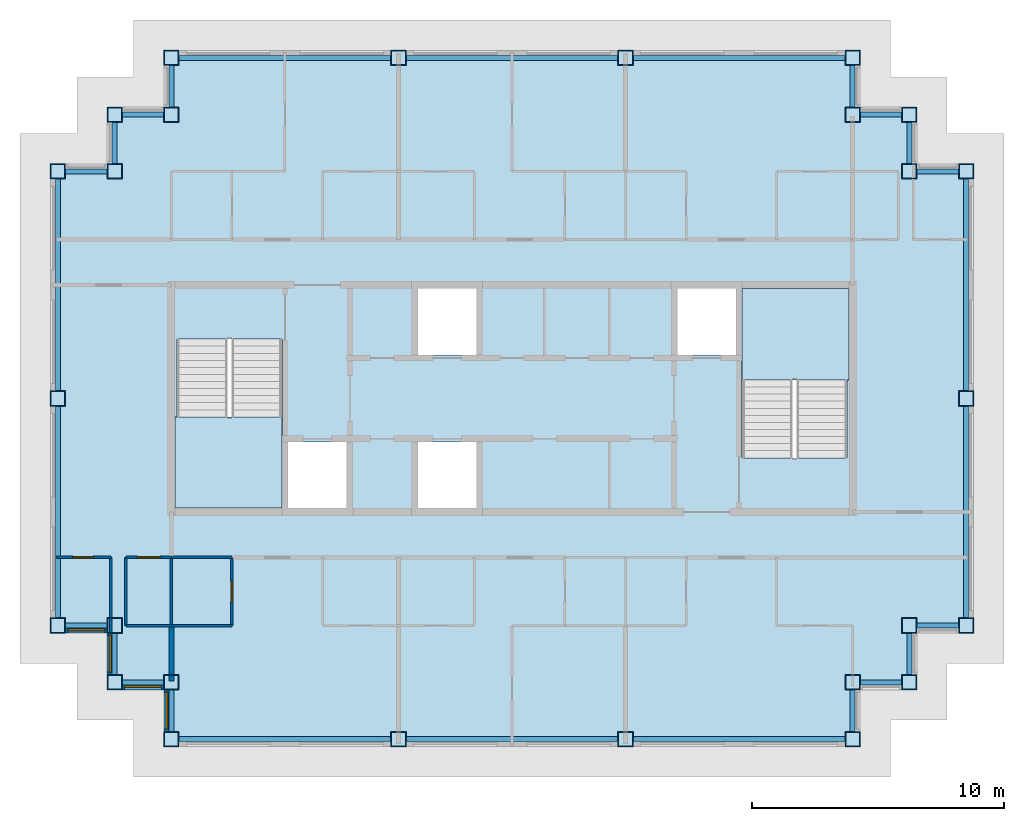
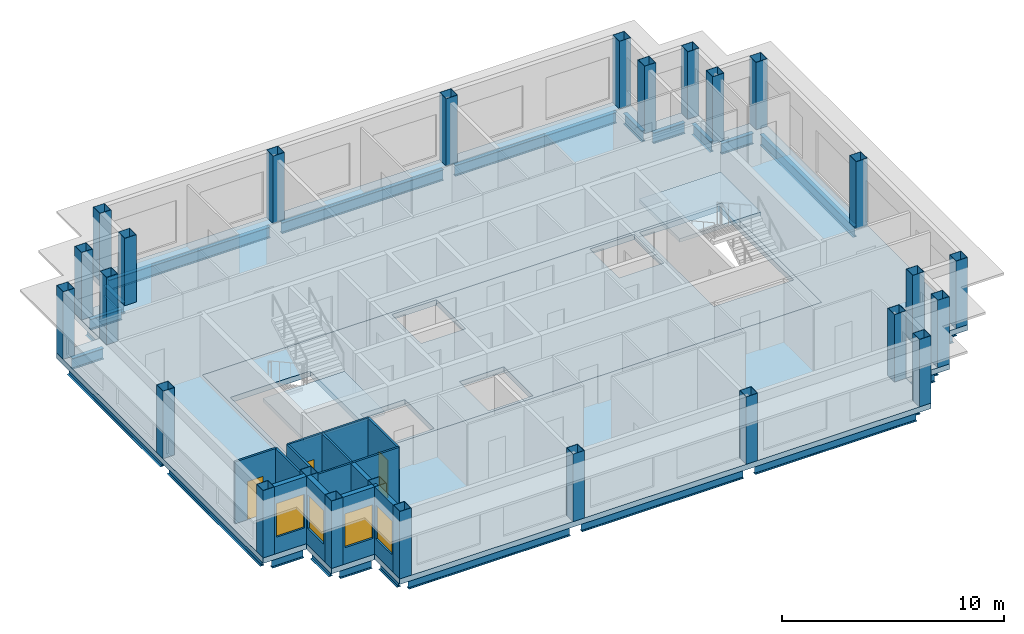
# One storey, part 1 of 11: 26 beams, 26 columns, 14 walls, 4 slabs, 4 windows, 3 doors, 7 openings, 2 elements without a shape of their own.
"""IFC4 building model written with IfcOpenShell, lengths in metres."""

from ifc_helpers import new_model, si_unit, direction, frame, frame_2d, origin, origin_2d, place, context, subcontext, project, spatial, polyline, rectangle, hollow_rectangle, i_section, outline, extrude, material, layer, layer_set, material_profile, profile_set, type_object, element, fill, aggregate, save


model = new_model("IFC4")

# Units and contexts
model_context = context("Model", 3, precision=1e-05, world=origin(), true_north=direction((0.0, 1.0)))
body_context = subcontext(model_context, "Body", "Model", "MODEL_VIEW")
ifc_project = project(units=[si_unit("LENGTHUNIT", "METRE"), si_unit("AREAUNIT", "SQUARE_METRE"), si_unit("VOLUMEUNIT", "CUBIC_METRE"), si_unit("PLANEANGLEUNIT", "RADIAN"), si_unit("MASSUNIT", "GRAM", prefix="KILO")], contexts=[model_context])

# Site, building, storey
site_placement = place(None, origin())
site = spatial("IfcSite", under=ifc_project, at=site_placement, CompositionType="ELEMENT")
building_placement = place(site_placement, origin())
building = spatial("IfcBuilding", under=site, at=building_placement, Name="Caravel Reach Hotel and Residences", CompositionType="ELEMENT")
storey_placement = place(building_placement, frame((0.0, 0.0, 298.199951171875)))
storey = spatial("IfcBuildingStorey", under=building, at=storey_placement, Name="L76", CompositionType="ELEMENT", Elevation=298.199951171875)

# Columns
ifc_material_1 = material(Name="Concrete-filled steel tube Q390B with Concrete C60 infill", Category="concrete")
ifc_material_profile_1 = material_profile(ifc_material_1, hollow_rectangle(XDim=0.60009765625, YDim=0.60009765625, WallThickness=0.02001953125, at=origin_2d()), Name="RHS 600x600x20")
ifc_profile_set_1 = profile_set([ifc_material_profile_1], Name="Concrete-filled steel tube Q390B with Concrete C60 infill")
column_type = type_object("IfcColumnType", Name="CFT 600x600 Q390B C60", PredefinedType="COLUMN", material=ifc_profile_set_1)
for number, where, z_axis, x_axis, name in (
    (1, (45.0, 13.5, 0.0), (0.0, 0.0, 1.0), (1.0, 0.0, 0.0), "C8 column"),
    (2, (45.0, 15.75, 0.0), (0.0, 0.0, 1.0), (1.0, 0.0, 0.0), "C8 column"),
    (3, (47.25, 15.75, 0.0), (0.0, 0.0, 1.0), (1.0, 0.0, 0.0), "C8 column"),
    (4, (47.25, 18.0, 0.0), (0.0, 0.0, 1.0), (1.0, 0.0, 0.0), "C8 column"),
    (5, (49.5, 18.0, 0.0), (0.0, 0.0, 1.0), (1.0, 0.0, 0.0), "C8 column"),
    (6, (49.5, 27.0, 0.0), (0.0, 0.0, 1.0), (1.0, 0.0, 0.0), "C8 column"),
    (7, (49.5, 36.0, 0.0), (0.0, 0.0, 1.0), (1.0, 0.0, 0.0), "C8 column"),
    (8, (47.25, 36.0, 0.0), (0.0, 0.0, 1.0), (1.0, 0.0, 0.0), "C8 column"),
    (9, (47.25, 38.25, 0.0), (0.0, 0.0, 1.0), (1.0, 0.0, 0.0), "C8 column"),
    (10, (45.0, 38.25, 0.0), (0.0, 0.0, 1.0), (1.0, 0.0, 0.0), "C8 column"),
    (11, (45.0, 40.5, 0.0), (0.0, 0.0, 1.0), (1.0, 0.0, 0.0), "C8 column"),
    (12, (36.0, 40.5, 0.0), (0.0, 0.0, 1.0), (1.0, 0.0, 0.0), "C8 column"),
    (13, (27.0, 40.5, 0.0), (0.0, 0.0, 1.0), (1.0, 0.0, 0.0), "C8 column"),
    (14, (18.0, 40.5, 0.0), (0.0, 0.0, 1.0), (1.0, 0.0, 0.0), "C8 column"),
    (15, (18.0, 38.25, 0.0), (0.0, 0.0, 1.0), (1.0, 0.0, 0.0), "C8 column"),
    (16, (15.75, 38.25, 0.0), (0.0, 0.0, 1.0), (1.0, 0.0, 0.0), "C8 column"),
    (17, (15.75, 36.0, 0.0), (0.0, 0.0, 1.0), (1.0, 0.0, 0.0), "C8 column"),
    (18, (13.5, 36.0, 0.0), (0.0, 0.0, 1.0), (1.0, 0.0, 0.0), "C8 column"),
    (19, (13.5, 27.0, 0.0), (0.0, 0.0, 1.0), (1.0, 0.0, 0.0), "C8 column"),
    (20, (13.5, 18.0, 0.0), (0.0, 0.0, 1.0), (1.0, 0.0, 0.0), "C8 column"),
    (21, (15.75, 18.0, 0.0), (0.0, 0.0, 1.0), (1.0, 0.0, 0.0), "C8 column"),
    (22, (15.75, 15.75, 0.0), (0.0, 0.0, 1.0), (1.0, 0.0, 0.0), "C8 column"),
    (23, (18.0, 15.75, 0.0), (0.0, 0.0, 1.0), (1.0, 0.0, 0.0), "C8 column"),
    (24, (18.0, 13.5, 0.0), (0.0, 0.0, 1.0), (1.0, 0.0, 0.0), "C8 column"),
    (25, (27.0, 13.5, 0.0), (0.0, 0.0, 1.0), (1.0, 0.0, 0.0), "C8 column"),
    (26, (36.0, 13.5, 0.0), (0.0, 0.0, 1.0), (1.0, 0.0, 0.0), "C8 column"),
):
    element("IfcColumn", number, at=place(storey_placement, frame(where, z_axis=z_axis, x_axis=x_axis)), inside=storey, type_object=column_type, Name=name, PredefinedType="COLUMN", context=body_context, shape_type="SweptSolid", body=[
        extrude(hollow_rectangle(XDim=0.60009765625, YDim=0.60009765625, WallThickness=0.02001953125, at=origin_2d()), origin(), (0.0, 0.0, 1.0), 3.699951171875),
    ])

# Beams
ifc_material_2 = material(Name="Structural steel Q355B", Category="steel")
ifc_material_profile_2 = material_profile(ifc_material_2, i_section(OverallWidth=0.199951171875, OverallDepth=0.60009765625, WebThickness=0.010986328125, FlangeThickness=0.01708984375, FilletRadius=0.012939453125, at=origin_2d()), Name="HN 600x200x11x17")
ifc_profile_set_2 = profile_set([ifc_material_profile_2], Name="Structural steel Q355B")
beam_type = type_object("IfcBeamType", Name="Spandrel beam HN 600x200x11x17", PredefinedType="SPANDREL", material=ifc_profile_set_2)
for number, where, z_axis, x_axis, name in (
    (27, (45.0, 13.800048828125, -0.599853515625), (0.0, 1.0, 0.0), (-1.0, 0.0, 0.0), "SP1 HN 600x200x11x17"),
    (28, (45.300048828125, 15.75, -0.599853515625), (1.0, 0.0, 0.0), (0.0, 1.0, 0.0), "SP1 HN 600x200x11x17"),
    (29, (47.25, 16.050048828125, -0.599853515625), (0.0, 1.0, 0.0), (-1.0, 0.0, 0.0), "SP1 HN 600x200x11x17"),
    (30, (47.550048828125, 18.0, -0.599853515625), (1.0, 0.0, 0.0), (0.0, 1.0, 0.0), "SP1 HN 600x200x11x17"),
):
    element("IfcBeam", number, at=place(storey_placement, frame(where, z_axis=z_axis, x_axis=x_axis)), inside=storey, type_object=beam_type, Name=name, PredefinedType="SPANDREL", context=body_context, shape_type="SweptSolid", body=[
        extrude(i_section(OverallWidth=0.199951171875, OverallDepth=0.60009765625, WebThickness=0.010986328125, FlangeThickness=0.01708984375, FilletRadius=0.012939453125, at=origin_2d()), origin(), (0.0, 0.0, 1.0), 1.64990234375),
    ])
for number, where, z_axis, x_axis, name in (
    (31, (49.5, 18.300048828125, -0.599853515625), (0.0, 1.0, 0.0), (-1.0, 0.0, 0.0), "SP1 HN 600x200x11x17"),
    (32, (49.5, 27.300048828125, -0.599853515625), (0.0, 1.0, 0.0), (-1.0, 0.0, 0.0), "SP1 HN 600x200x11x17"),
):
    element("IfcBeam", number, at=place(storey_placement, frame(where, z_axis=z_axis, x_axis=x_axis)), inside=storey, type_object=beam_type, Name=name, PredefinedType="SPANDREL", context=body_context, shape_type="SweptSolid", body=[
        extrude(i_section(OverallWidth=0.199951171875, OverallDepth=0.60009765625, WebThickness=0.010986328125, FlangeThickness=0.01708984375, FilletRadius=0.012939453125, at=origin_2d()), origin(), (0.0, 0.0, 1.0), 8.39990234375),
    ])
for number, where, z_axis, x_axis, name in (
    (33, (49.199951171875, 36.0, -0.599853515625), (-1.0, 0.0, 0.0), (0.0, -1.0, 0.0), "SP1 HN 600x200x11x17"),
    (34, (47.25, 36.300048828125, -0.599853515625), (0.0, 1.0, 0.0), (-1.0, 0.0, 0.0), "SP1 HN 600x200x11x17"),
    (35, (46.949951171875, 38.25, -0.599853515625), (-1.0, 0.0, 0.0), (0.0, -1.0, 0.0), "SP1 HN 600x200x11x17"),
    (36, (45.0, 38.550048828125, -0.599853515625), (0.0, 1.0, 0.0), (-1.0, 0.0, 0.0), "SP1 HN 600x200x11x17"),
):
    element("IfcBeam", number, at=place(storey_placement, frame(where, z_axis=z_axis, x_axis=x_axis)), inside=storey, type_object=beam_type, Name=name, PredefinedType="SPANDREL", context=body_context, shape_type="SweptSolid", body=[
        extrude(i_section(OverallWidth=0.199951171875, OverallDepth=0.60009765625, WebThickness=0.010986328125, FlangeThickness=0.01708984375, FilletRadius=0.012939453125, at=origin_2d()), origin(), (0.0, 0.0, 1.0), 1.64990234375),
    ])
for number, where, z_axis, x_axis, name in (
    (37, (44.699951171875, 40.5, -0.599853515625), (-1.0, 0.0, 0.0), (0.0, -1.0, 0.0), "SP1 HN 600x200x11x17"),
    (38, (35.699951171875, 40.5, -0.599853515625), (-1.0, 0.0, 0.0), (0.0, -1.0, 0.0), "SP1 HN 600x200x11x17"),
    (39, (26.699951171875, 40.5, -0.599853515625), (-1.0, 0.0, 0.0), (0.0, -1.0, 0.0), "SP1 HN 600x200x11x17"),
):
    element("IfcBeam", number, at=place(storey_placement, frame(where, z_axis=z_axis, x_axis=x_axis)), inside=storey, type_object=beam_type, Name=name, PredefinedType="SPANDREL", context=body_context, shape_type="SweptSolid", body=[
        extrude(i_section(OverallWidth=0.199951171875, OverallDepth=0.60009765625, WebThickness=0.010986328125, FlangeThickness=0.01708984375, FilletRadius=0.012939453125, at=origin_2d()), origin(), (0.0, 0.0, 1.0), 8.39990234375),
    ])
for number, where, z_axis, x_axis, name in (
    (40, (18.0, 40.199951171875, -0.599853515625), (0.0, -1.0, 0.0), (1.0, 0.0, 0.0), "SP1 HN 600x200x11x17"),
    (41, (17.699951171875, 38.25, -0.599853515625), (-1.0, 0.0, 0.0), (0.0, -1.0, 0.0), "SP1 HN 600x200x11x17"),
    (42, (15.75, 37.949951171875, -0.599853515625), (0.0, -1.0, 0.0), (1.0, 0.0, 0.0), "SP1 HN 600x200x11x17"),
    (43, (15.449951171875, 36.0, -0.599853515625), (-1.0, 0.0, 0.0), (0.0, -1.0, 0.0), "SP1 HN 600x200x11x17"),
):
    element("IfcBeam", number, at=place(storey_placement, frame(where, z_axis=z_axis, x_axis=x_axis)), inside=storey, type_object=beam_type, Name=name, PredefinedType="SPANDREL", context=body_context, shape_type="SweptSolid", body=[
        extrude(i_section(OverallWidth=0.199951171875, OverallDepth=0.60009765625, WebThickness=0.010986328125, FlangeThickness=0.01708984375, FilletRadius=0.012939453125, at=origin_2d()), origin(), (0.0, 0.0, 1.0), 1.64990234375),
    ])
for number, where, z_axis, x_axis, name in (
    (44, (13.5, 35.699951171875, -0.599853515625), (0.0, -1.0, 0.0), (1.0, 0.0, 0.0), "SP1 HN 600x200x11x17"),
    (45, (13.5, 26.699951171875, -0.599853515625), (0.0, -1.0, 0.0), (1.0, 0.0, 0.0), "SP1 HN 600x200x11x17"),
):
    element("IfcBeam", number, at=place(storey_placement, frame(where, z_axis=z_axis, x_axis=x_axis)), inside=storey, type_object=beam_type, Name=name, PredefinedType="SPANDREL", context=body_context, shape_type="SweptSolid", body=[
        extrude(i_section(OverallWidth=0.199951171875, OverallDepth=0.60009765625, WebThickness=0.010986328125, FlangeThickness=0.01708984375, FilletRadius=0.012939453125, at=origin_2d()), origin(), (0.0, 0.0, 1.0), 8.39990234375),
    ])
for number, where, z_axis, x_axis, name in (
    (46, (13.800048828125, 18.0, -0.599853515625), (1.0, 0.0, 0.0), (0.0, 1.0, 0.0), "SP1 HN 600x200x11x17"),
    (47, (15.75, 17.699951171875, -0.599853515625), (0.0, -1.0, 0.0), (1.0, 0.0, 0.0), "SP1 HN 600x200x11x17"),
    (48, (16.050048828125, 15.75, -0.599853515625), (1.0, 0.0, 0.0), (0.0, 1.0, 0.0), "SP1 HN 600x200x11x17"),
    (49, (18.0, 15.449951171875, -0.599853515625), (0.0, -1.0, 0.0), (1.0, 0.0, 0.0), "SP1 HN 600x200x11x17"),
):
    element("IfcBeam", number, at=place(storey_placement, frame(where, z_axis=z_axis, x_axis=x_axis)), inside=storey, type_object=beam_type, Name=name, PredefinedType="SPANDREL", context=body_context, shape_type="SweptSolid", body=[
        extrude(i_section(OverallWidth=0.199951171875, OverallDepth=0.60009765625, WebThickness=0.010986328125, FlangeThickness=0.01708984375, FilletRadius=0.012939453125, at=origin_2d()), origin(), (0.0, 0.0, 1.0), 1.64990234375),
    ])
for number, where, z_axis, x_axis, name in (
    (50, (18.300048828125, 13.5, -0.599853515625), (1.0, 0.0, 0.0), (0.0, 1.0, 0.0), "SP1 HN 600x200x11x17"),
    (51, (27.300048828125, 13.5, -0.599853515625), (1.0, 0.0, 0.0), (0.0, 1.0, 0.0), "SP1 HN 600x200x11x17"),
    (52, (36.300048828125, 13.5, -0.599853515625), (1.0, 0.0, 0.0), (0.0, 1.0, 0.0), "SP1 HN 600x200x11x17"),
):
    element("IfcBeam", number, at=place(storey_placement, frame(where, z_axis=z_axis, x_axis=x_axis)), inside=storey, type_object=beam_type, Name=name, PredefinedType="SPANDREL", context=body_context, shape_type="SweptSolid", body=[
        extrude(i_section(OverallWidth=0.199951171875, OverallDepth=0.60009765625, WebThickness=0.010986328125, FlangeThickness=0.01708984375, FilletRadius=0.012939453125, at=origin_2d()), origin(), (0.0, 0.0, 1.0), 8.39990234375),
    ])

# Slab
ifc_material_3 = material(Name="Concrete C40", Category="concrete")
ifc_layer_1 = layer(ifc_material_3, 0.300048828125)
ifc_layer_set_1 = layer_set([ifc_layer_1], Name="Core floor slab 300 mm")
slab_type_1 = type_object("IfcSlabType", Name="Core floor slab 300 mm", PredefinedType="FLOOR", material=ifc_layer_set_1)
slab_1_placement = place(storey_placement, frame((0.0, 0.0, -0.300048828125)))
element("IfcSlab", 53, at=slab_1_placement, inside=storey, type_object=slab_type_1, Name="L76 core floor", PredefinedType="FLOOR", context=body_context, shape_type="SweptSolid", body=[
    extrude(outline(polyline([(18.0, 31.5), (45.0, 31.5), (45.0, 22.5), (18.0, 22.5), (18.0, 31.5)]), holes=[polyline([(22.625, 22.64990234375), (24.9462890625, 22.64990234375), (24.9462890625, 25.27490234375), (22.625, 25.27490234375), (22.625, 22.64990234375)]), polyline([(27.767822265625, 25.27490234375), (27.767822265625, 22.64990234375), (30.08935546875, 22.64990234375), (30.08935546875, 25.27490234375), (27.767822265625, 25.27490234375)]), polyline([(22.375, 22.64990234375), (22.375, 29.35009765625), (18.22509765625, 29.35009765625), (18.22509765625, 22.64990234375), (22.375, 22.64990234375)]), polyline([(40.625, 24.64990234375), (44.77490234375, 24.64990234375), (44.77490234375, 31.35009765625), (40.625, 31.35009765625), (40.625, 24.64990234375)]), polyline([(27.767822265625, 31.35009765625), (27.767822265625, 28.72509765625), (30.08935546875, 28.72509765625), (30.08935546875, 31.35009765625), (27.767822265625, 31.35009765625)]), polyline([(38.0537109375, 31.35009765625), (38.0537109375, 28.72509765625), (40.375, 28.72509765625), (40.375, 31.35009765625), (38.0537109375, 31.35009765625)])]), origin(), (0.0, 0.0, 1.0), 0.300048828125),
])

# Stair, slab
ifc_material_4 = material(Name="Concrete C40", Category="concrete")
stair_type = type_object("IfcStairType", Name="Core stair", PredefinedType="HALF_TURN_STAIR", material=ifc_material_4)
stair_1_placement = place(storey_placement, origin())
stair_1 = element("IfcStair", 54, at=stair_1_placement, inside=storey, type_object=stair_type, Name="L76 Exit stair A", PredefinedType="HALF_TURN_STAIR")
ifc_material_5 = material(Name="Concrete C40", Category="concrete")
ifc_layer_2 = layer(ifc_material_5, 0.199951171875)
ifc_layer_set_2 = layer_set([ifc_layer_2], Name="Core stair landing")
slab_type_2 = type_object("IfcSlabType", Name="Core stair landing", PredefinedType="LANDING", material=ifc_layer_set_2)
slab_2_placement = place(storey_placement, frame((0.0, 0.0, 1.650146484375)))
slab_2 = element("IfcSlab", 55, at=slab_2_placement, type_object=slab_type_2, Name="ST-A landing 1", PredefinedType="LANDING", context=body_context, shape_type="SweptSolid", body=[
    extrude(outline(polyline([(18.14990234375, 26.27001953125), (18.14990234375, 22.64990234375), (22.375, 22.64990234375), (22.375, 26.27001953125), (18.14990234375, 26.27001953125)])), origin(), (0.0, 0.0, 1.0), 0.199951171875),
])
aggregate(stair_1, [slab_2])

stair_2_placement = place(storey_placement, origin())
stair_2 = element("IfcStair", 56, at=stair_2_placement, inside=storey, type_object=stair_type, Name="L76 Exit stair B", PredefinedType="HALF_TURN_STAIR")
slab_3_placement = place(storey_placement, frame((0.0, 0.0, 1.650146484375)))
slab_3 = element("IfcSlab", 57, at=slab_3_placement, type_object=slab_type_2, Name="ST-B landing 1", PredefinedType="LANDING", context=body_context, shape_type="SweptSolid", body=[
    extrude(outline(polyline([(44.85009765625, 27.72998046875), (44.85009765625, 31.35009765625), (40.625, 31.35009765625), (40.625, 27.72998046875), (44.85009765625, 27.72998046875)])), origin(), (0.0, 0.0, 1.0), 0.199951171875),
])
aggregate(stair_2, [slab_3])

# Slab
ifc_material_6 = material(Name="Concrete C40 post-tensioned", Category="concrete")
ifc_layer_3 = layer(ifc_material_6, 0.300048828125)
ifc_layer_set_3 = layer_set([ifc_layer_3], Name="Floor slab 300")
slab_type_3 = type_object("IfcSlabType", Name="Floor slab 300", PredefinedType="FLOOR", material=ifc_layer_set_3)
slab_4_placement = place(storey_placement, frame((0.0, 0.0, -0.300048828125)))
element("IfcSlab", 58, at=slab_4_placement, inside=storey, type_object=slab_type_3, Name="S2 slab L76", PredefinedType="FLOOR", context=body_context, shape_type="SweptSolid", body=[
    extrude(outline(polyline([(17.699951171875, 15.449951171875), (15.449951171875, 15.449951171875), (15.449951171875, 17.699951171875), (13.199951171875, 17.699951171875), (13.199951171875, 36.300048828125), (15.449951171875, 36.300048828125), (15.449951171875, 38.550048828125), (17.699951171875, 38.550048828125), (17.699951171875, 40.800048828125), (45.300048828125, 40.800048828125), (45.300048828125, 38.550048828125), (47.550048828125, 38.550048828125), (47.550048828125, 36.300048828125), (49.800048828125, 36.300048828125), (49.800048828125, 17.699951171875), (47.550048828125, 17.699951171875), (47.550048828125, 15.449951171875), (45.300048828125, 15.449951171875), (45.300048828125, 13.199951171875), (17.699951171875, 13.199951171875), (17.699951171875, 15.449951171875)]), holes=[polyline([(45.0, 31.5), (18.0, 31.5), (18.0, 22.5), (45.0, 22.5), (45.0, 31.5)])]), origin(), (0.0, 0.0, 1.0), 0.300048828125),
])

# Walls
ifc_material_7 = material(Name="Gypsum board on steel stud", Category="steel")
ifc_layer_4 = layer(ifc_material_7, 0.10009765625)
ifc_layer_set_4 = layer_set([ifc_layer_4], Name="Bathroom pod wall 100 mm")
wall_type_1 = type_object("IfcWallType", Name="Bathroom pod wall 100 mm", PredefinedType="PARTITIONING", material=ifc_layer_set_4)
for number, where, z_axis, x_axis, name in (
    (59, (18.0, 18.0, 0.0), (0.0, 0.0, 1.0), (1.0, 0.0, 0.0), "L76 wall w053"),
    (60, (18.0, 20.699951171875, 0.0), (0.0, 0.0, 1.0), (1.0, 0.0, 0.0), "L76 wall w056"),
):
    element("IfcWall", number, at=place(storey_placement, frame(where, z_axis=z_axis, x_axis=x_axis)), inside=storey, type_object=wall_type_1, Name=name, PredefinedType="PARTITIONING", context=body_context, shape_type="SweptSolid", body=[
        extrude(rectangle(XDim=2.39990234375, YDim=0.10009765625, at=frame_2d((1.199951171875, 0.0))), origin(), (0.0, 0.0, 1.0), 3.400146484375),
    ])

# Wall, opening, door
wall_1_placement = place(storey_placement, frame((13.449951171875, 20.699951171875, 0.0), z_axis=(0.0, 0.0, 1.0), x_axis=(1.0, 0.0, 0.0)))
wall_1 = element("IfcWall", 61, at=wall_1_placement, inside=storey, type_object=wall_type_1, Name="L76 wall w059", PredefinedType="PARTITIONING", context=body_context, shape_type="SweptSolid", body=[
    extrude(rectangle(XDim=2.150146484375, YDim=0.10009765625, at=frame_2d((1.0751953125, 0.0))), origin(), (0.0, 0.0, 1.0), 3.400146484375),
])
opening_1_placement = place(wall_1_placement, frame((0.64990234375, 0.0, 0.0)))
opening_1 = element("IfcOpeningElement", 62, at=opening_1_placement, cuts=wall_1, Name="Opening D76-040", PredefinedType="OPENING", context=body_context, shape_type="SweptSolid", body=[
    extrude(rectangle(XDim=0.800048828125, YDim=2.10009765625, at=frame_2d((0.39990234375, 1.050048828125))), frame((0.0, 0.06005859375, 0.0), z_axis=(0.0, -1.0, 0.0), x_axis=(1.0, 0.0, 0.0)), (0.0, 0.0, 1.0), 0.1201171875),
])
ifc_material_8 = material(Name="Timber and steel door leaf", Category="steel")
door_type_1 = type_object("IfcDoorType", Name="Bathroom door 800 x 2100", OperationType="SINGLE_SWING_LEFT", PredefinedType="DOOR", material=ifc_material_8)
door_1_placement = place(opening_1_placement, origin())
door_1 = element("IfcDoor", 63, at=door_1_placement, inside=storey, type_object=door_type_1, Name="door D76-040", OperationType="SINGLE_SWING_RIGHT", OverallHeight=2.10009765625, OverallWidth=0.800048828125, PredefinedType="DOOR", context=body_context, shape_type="SweptSolid", body=[
    extrude(rectangle(XDim=0.800048828125, YDim=2.10009765625, at=frame_2d((0.39990234375, 1.050048828125))), frame((0.0, 0.02490234375, 0.0), z_axis=(0.0, -1.0, 0.0), x_axis=(1.0, 0.0, 0.0)), (0.0, 0.0, 1.0), 0.050048828125),
])
fill(opening_1, door_1)

# Walls
wall_2_placement = place(storey_placement, frame((15.60009765625, 17.699951171875, 0.0), z_axis=(0.0, 0.0, 1.0), x_axis=(0.0, 1.0, 0.0)))
element("IfcWall", 64, at=wall_2_placement, inside=storey, type_object=wall_type_1, Name="L76 wall w067", PredefinedType="PARTITIONING", context=body_context, shape_type="SweptSolid", body=[
    extrude(rectangle(XDim=3.0, YDim=0.10009765625, at=frame_2d((1.5, 0.0))), origin(), (0.0, 0.0, 1.0), 3.400146484375),
])
wall_3_placement = place(storey_placement, frame((18.0, 18.0, 0.0), z_axis=(0.0, 0.0, 1.0), x_axis=(0.0, 1.0, 0.0)))
element("IfcWall", 65, at=wall_3_placement, inside=storey, type_object=wall_type_1, Name="L76 wall w069", PredefinedType="PARTITIONING", context=body_context, shape_type="SweptSolid", body=[
    extrude(rectangle(XDim=2.699951171875, YDim=0.10009765625, at=frame_2d((1.35009765625, 0.0))), origin(), (0.0, 0.0, 1.0), 3.400146484375),
])

# Wall, opening, door
wall_4_placement = place(storey_placement, frame((20.39990234375, 18.0, 0.0), z_axis=(0.0, 0.0, 1.0), x_axis=(0.0, 1.0, 0.0)))
wall_4 = element("IfcWall", 66, at=wall_4_placement, inside=storey, type_object=wall_type_1, Name="L76 wall w071", PredefinedType="PARTITIONING", context=body_context, shape_type="SweptSolid", body=[
    extrude(rectangle(XDim=2.699951171875, YDim=0.10009765625, at=frame_2d((1.35009765625, 0.0))), origin(), (0.0, 0.0, 1.0), 3.400146484375),
])
opening_2_placement = place(wall_4_placement, frame((0.949951171875, 0.0, 0.0)))
opening_2 = element("IfcOpeningElement", 67, at=opening_2_placement, cuts=wall_4, Name="Opening D76-030", PredefinedType="OPENING", context=body_context, shape_type="SweptSolid", body=[
    extrude(rectangle(XDim=0.800048828125, YDim=2.10009765625, at=frame_2d((0.39990234375, 1.050048828125))), frame((0.0, 0.06005859375, 0.0), z_axis=(0.0, -1.0, 0.0), x_axis=(1.0, 0.0, 0.0)), (0.0, 0.0, 1.0), 0.1201171875),
])
door_2_placement = place(opening_2_placement, origin())
door_2 = element("IfcDoor", 68, at=door_2_placement, inside=storey, type_object=door_type_1, Name="door D76-030", OperationType="SINGLE_SWING_LEFT", OverallHeight=2.10009765625, OverallWidth=0.800048828125, PredefinedType="DOOR", context=body_context, shape_type="SweptSolid", body=[
    extrude(rectangle(XDim=0.800048828125, YDim=2.10009765625, at=frame_2d((0.39990234375, 1.050048828125))), frame((0.0, 0.02490234375, 0.0), z_axis=(0.0, -1.0, 0.0), x_axis=(1.0, 0.0, 0.0)), (0.0, 0.0, 1.0), 0.050048828125),
])
fill(opening_2, door_2)

# Wall, opening, window
ifc_material_9 = material(Name="Insulated rainscreen wall, aluminium cladding", Category="aluminium")
ifc_layer_5 = layer(ifc_material_9, 0.25)
ifc_layer_set_5 = layer_set([ifc_layer_5], Name="EW1 Tower rainscreen wall")
wall_type_2 = type_object("IfcWallType", Name="EW1 Tower rainscreen wall", PredefinedType="SOLIDWALL", material=ifc_layer_set_5)
wall_5_placement = place(storey_placement, frame((13.800048828125, 17.824951171875, 0.0), z_axis=(0.0, 0.0, 1.0), x_axis=(1.0, 0.0, 0.0)))
wall_5 = element("IfcWall", 69, at=wall_5_placement, inside=storey, type_object=wall_type_2, Name="External wall L76 S16.1", PredefinedType="SOLIDWALL", context=body_context, shape_type="SweptSolid", body=[
    extrude(rectangle(XDim=1.64990234375, YDim=0.25, at=frame_2d((0.824951171875, 0.0))), origin(), (0.0, 0.0, 1.0), 3.699951171875),
])
opening_3_placement = place(wall_5_placement, frame((0.10009765625, 0.0, 0.89990234375)))
opening_3 = element("IfcOpeningElement", 70, at=opening_3_placement, cuts=wall_5, Name="Opening WN25", PredefinedType="OPENING", context=body_context, shape_type="SweptSolid", body=[
    extrude(rectangle(XDim=1.449951171875, YDim=1.85009765625, at=frame_2d((0.72509765625, 0.925048828125))), frame((0.0, 0.135009765625, 0.0), z_axis=(0.0, -1.0, 0.0), x_axis=(1.0, 0.0, 0.0)), (0.0, 0.0, 1.0), 0.27001953125),
])
ifc_material_10 = material(Name="Dark low-e glazing in black aluminium frame", Category="aluminium")
window_type = type_object("IfcWindowType", Name="Residence bedroom window 1450 x 1850", PartitioningType="SINGLE_PANEL", PredefinedType="WINDOW", material=ifc_material_10)
window_1_placement = place(opening_3_placement, origin())
window_1 = element("IfcWindow", 71, at=window_1_placement, inside=storey, type_object=window_type, Name="Window L76 S16.1.1", OverallHeight=1.85009765625, OverallWidth=1.449951171875, PartitioningType="SINGLE_PANEL", PredefinedType="WINDOW", context=body_context, shape_type="SweptSolid", body=[
    extrude(rectangle(XDim=1.449951171875, YDim=1.85009765625, at=frame_2d((0.72509765625, 0.925048828125))), frame((0.0, 0.030029296875, 0.0), z_axis=(0.0, -1.0, 0.0), x_axis=(1.0, 0.0, 0.0)), (0.0, 0.0, 1.0), 0.06005859375),
])
fill(opening_3, window_1)

wall_6_placement = place(storey_placement, frame((15.574951171875, 17.699951171875, 0.0), z_axis=(0.0, 0.0, 1.0), x_axis=(0.0, -1.0, 0.0)))
wall_6 = element("IfcWall", 72, at=wall_6_placement, inside=storey, type_object=wall_type_2, Name="External wall L76 W17.1", PredefinedType="SOLIDWALL", context=body_context, shape_type="SweptSolid", body=[
    extrude(rectangle(XDim=1.64990234375, YDim=0.25, at=frame_2d((0.824951171875, 0.0))), origin(), (0.0, 0.0, 1.0), 3.699951171875),
])
opening_4_placement = place(wall_6_placement, frame((0.10009765625, 0.0, 0.89990234375)))
opening_4 = element("IfcOpeningElement", 73, at=opening_4_placement, cuts=wall_6, Name="Opening WN25", PredefinedType="OPENING", context=body_context, shape_type="SweptSolid", body=[
    extrude(rectangle(XDim=1.449951171875, YDim=1.85009765625, at=frame_2d((0.72509765625, 0.925048828125))), frame((0.0, 0.135009765625, 0.0), z_axis=(0.0, -1.0, 0.0), x_axis=(1.0, 0.0, 0.0)), (0.0, 0.0, 1.0), 0.27001953125),
])
window_2_placement = place(opening_4_placement, origin())
window_2 = element("IfcWindow", 74, at=window_2_placement, inside=storey, type_object=window_type, Name="Window L76 W17.1.1", OverallHeight=1.85009765625, OverallWidth=1.449951171875, PartitioningType="SINGLE_PANEL", PredefinedType="WINDOW", context=body_context, shape_type="SweptSolid", body=[
    extrude(rectangle(XDim=1.449951171875, YDim=1.85009765625, at=frame_2d((0.72509765625, 0.925048828125))), frame((0.0, 0.030029296875, 0.0), z_axis=(0.0, -1.0, 0.0), x_axis=(1.0, 0.0, 0.0)), (0.0, 0.0, 1.0), 0.06005859375),
])
fill(opening_4, window_2)

wall_7_placement = place(storey_placement, frame((16.050048828125, 15.574951171875, 0.0), z_axis=(0.0, 0.0, 1.0), x_axis=(1.0, 0.0, 0.0)))
wall_7 = element("IfcWall", 75, at=wall_7_placement, inside=storey, type_object=wall_type_2, Name="External wall L76 S18.1", PredefinedType="SOLIDWALL", context=body_context, shape_type="SweptSolid", body=[
    extrude(rectangle(XDim=1.64990234375, YDim=0.25, at=frame_2d((0.824951171875, 0.0))), origin(), (0.0, 0.0, 1.0), 3.699951171875),
])
opening_5_placement = place(wall_7_placement, frame((0.10009765625, 0.0, 0.89990234375)))
opening_5 = element("IfcOpeningElement", 76, at=opening_5_placement, cuts=wall_7, Name="Opening WN25", PredefinedType="OPENING", context=body_context, shape_type="SweptSolid", body=[
    extrude(rectangle(XDim=1.449951171875, YDim=1.85009765625, at=frame_2d((0.72509765625, 0.925048828125))), frame((0.0, 0.135009765625, 0.0), z_axis=(0.0, -1.0, 0.0), x_axis=(1.0, 0.0, 0.0)), (0.0, 0.0, 1.0), 0.27001953125),
])
window_3_placement = place(opening_5_placement, origin())
window_3 = element("IfcWindow", 77, at=window_3_placement, inside=storey, type_object=window_type, Name="Window L76 S18.1.1", OverallHeight=1.85009765625, OverallWidth=1.449951171875, PartitioningType="SINGLE_PANEL", PredefinedType="WINDOW", context=body_context, shape_type="SweptSolid", body=[
    extrude(rectangle(XDim=1.449951171875, YDim=1.85009765625, at=frame_2d((0.72509765625, 0.925048828125))), frame((0.0, 0.030029296875, 0.0), z_axis=(0.0, -1.0, 0.0), x_axis=(1.0, 0.0, 0.0)), (0.0, 0.0, 1.0), 0.06005859375),
])
fill(opening_5, window_3)

wall_8_placement = place(storey_placement, frame((17.824951171875, 15.449951171875, 0.0), z_axis=(0.0, 0.0, 1.0), x_axis=(0.0, -1.0, 0.0)))
wall_8 = element("IfcWall", 78, at=wall_8_placement, inside=storey, type_object=wall_type_2, Name="External wall L76 W19.1", PredefinedType="SOLIDWALL", context=body_context, shape_type="SweptSolid", body=[
    extrude(rectangle(XDim=1.64990234375, YDim=0.25, at=frame_2d((0.824951171875, 0.0))), origin(), (0.0, 0.0, 1.0), 3.699951171875),
])
opening_6_placement = place(wall_8_placement, frame((0.10009765625, 0.0, 0.89990234375)))
opening_6 = element("IfcOpeningElement", 79, at=opening_6_placement, cuts=wall_8, Name="Opening WN25", PredefinedType="OPENING", context=body_context, shape_type="SweptSolid", body=[
    extrude(rectangle(XDim=1.449951171875, YDim=1.85009765625, at=frame_2d((0.72509765625, 0.925048828125))), frame((0.0, 0.135009765625, 0.0), z_axis=(0.0, -1.0, 0.0), x_axis=(1.0, 0.0, 0.0)), (0.0, 0.0, 1.0), 0.27001953125),
])
window_4_placement = place(opening_6_placement, origin())
window_4 = element("IfcWindow", 80, at=window_4_placement, inside=storey, type_object=window_type, Name="Window L76 W19.1.1", OverallHeight=1.85009765625, OverallWidth=1.449951171875, PartitioningType="SINGLE_PANEL", PredefinedType="WINDOW", context=body_context, shape_type="SweptSolid", body=[
    extrude(rectangle(XDim=1.449951171875, YDim=1.85009765625, at=frame_2d((0.72509765625, 0.925048828125))), frame((0.0, 0.030029296875, 0.0), z_axis=(0.0, -1.0, 0.0), x_axis=(1.0, 0.0, 0.0)), (0.0, 0.0, 1.0), 0.06005859375),
])
fill(opening_6, window_4)

# Wall
ifc_material_11 = material(Name="Gypsum board on steel stud", Category="steel")
ifc_layer_6 = layer(ifc_material_11, 0.10009765625)
ifc_layer_set_6 = layer_set([ifc_layer_6], Name="Partition 100 mm")
wall_type_3 = type_object("IfcWallType", Name="Partition 100 mm", PredefinedType="PARTITIONING", material=ifc_layer_set_6)
wall_9_placement = place(storey_placement, frame((16.199951171875, 18.0, 0.0), z_axis=(0.0, 0.0, 1.0), x_axis=(1.0, 0.0, 0.0)))
element("IfcWall", 81, at=wall_9_placement, inside=storey, type_object=wall_type_3, Name="L76 wall w023", PredefinedType="PARTITIONING", context=body_context, shape_type="SweptSolid", body=[
    extrude(rectangle(XDim=1.800048828125, YDim=0.10009765625, at=frame_2d((0.89990234375, 0.0))), origin(), (0.0, 0.0, 1.0), 3.400146484375),
])

# Wall, opening, door
wall_10_placement = place(storey_placement, frame((16.199951171875, 20.699951171875, 0.0), z_axis=(0.0, 0.0, 1.0), x_axis=(1.0, 0.0, 0.0)))
wall_10 = element("IfcWall", 82, at=wall_10_placement, inside=storey, type_object=wall_type_3, Name="L76 wall w024", PredefinedType="PARTITIONING", context=body_context, shape_type="SweptSolid", body=[
    extrude(rectangle(XDim=1.800048828125, YDim=0.10009765625, at=frame_2d((0.89990234375, 0.0))), origin(), (0.0, 0.0, 1.0), 3.400146484375),
])
opening_7_placement = place(wall_10_placement, frame((0.449951171875, 0.0, 0.0)))
opening_7 = element("IfcOpeningElement", 83, at=opening_7_placement, cuts=wall_10, Name="Opening D76-041", PredefinedType="OPENING", context=body_context, shape_type="SweptSolid", body=[
    extrude(rectangle(XDim=0.89990234375, YDim=2.10009765625, at=frame_2d((0.449951171875, 1.050048828125))), frame((0.0, 0.06005859375, 0.0), z_axis=(0.0, -1.0, 0.0), x_axis=(1.0, 0.0, 0.0)), (0.0, 0.0, 1.0), 0.1201171875),
])
ifc_material_12 = material(Name="Timber and steel door leaf", Category="steel")
door_type_2 = type_object("IfcDoorType", Name="Door 900 x 2100 timber", OperationType="SINGLE_SWING_LEFT", PredefinedType="DOOR", material=ifc_material_12)
door_3_placement = place(opening_7_placement, origin())
door_3 = element("IfcDoor", 84, at=door_3_placement, inside=storey, type_object=door_type_2, Name="door D76-041", OperationType="SINGLE_SWING_LEFT", OverallHeight=2.10009765625, OverallWidth=0.89990234375, PredefinedType="DOOR", context=body_context, shape_type="SweptSolid", body=[
    extrude(rectangle(XDim=0.89990234375, YDim=2.10009765625, at=frame_2d((0.449951171875, 1.050048828125))), frame((0.0, 0.02490234375, 0.0), z_axis=(0.0, -1.0, 0.0), x_axis=(1.0, 0.0, 0.0)), (0.0, 0.0, 1.0), 0.050048828125),
])
fill(opening_7, door_3)

# Walls
wall_11_placement = place(storey_placement, frame((16.199951171875, 18.0, 0.0), z_axis=(0.0, 0.0, 1.0), x_axis=(0.0, 1.0, 0.0)))
element("IfcWall", 85, at=wall_11_placement, inside=storey, type_object=wall_type_3, Name="L76 wall w032", PredefinedType="PARTITIONING", context=body_context, shape_type="SweptSolid", body=[
    extrude(rectangle(XDim=2.699951171875, YDim=0.10009765625, at=frame_2d((1.35009765625, 0.0))), origin(), (0.0, 0.0, 1.0), 3.400146484375),
])
ifc_material_13 = material(Name="Autoclaved aerated block wall")
ifc_layer_7 = layer(ifc_material_13, 0.199951171875)
ifc_layer_set_7 = layer_set([ifc_layer_7], Name="Party wall 200 mm EI 60")
wall_type_4 = type_object("IfcWallType", Name="Party wall 200 mm EI 60", PredefinedType="PARTITIONING", material=ifc_layer_set_7)
wall_12_placement = place(storey_placement, frame((18.0, 15.800048828125, 0.0), z_axis=(0.0, 0.0, 1.0), x_axis=(0.0, 1.0, 0.0)))
element("IfcWall", 86, at=wall_12_placement, inside=storey, type_object=wall_type_4, Name="L76 wall w044", PredefinedType="PARTITIONING", context=body_context, shape_type="SweptSolid", body=[
    extrude(rectangle(XDim=2.199951171875, YDim=0.199951171875, at=frame_2d((1.10009765625, 0.0))), origin(), (0.0, 0.0, 1.0), 3.400146484375),
])

save(model, "model.ifc")
